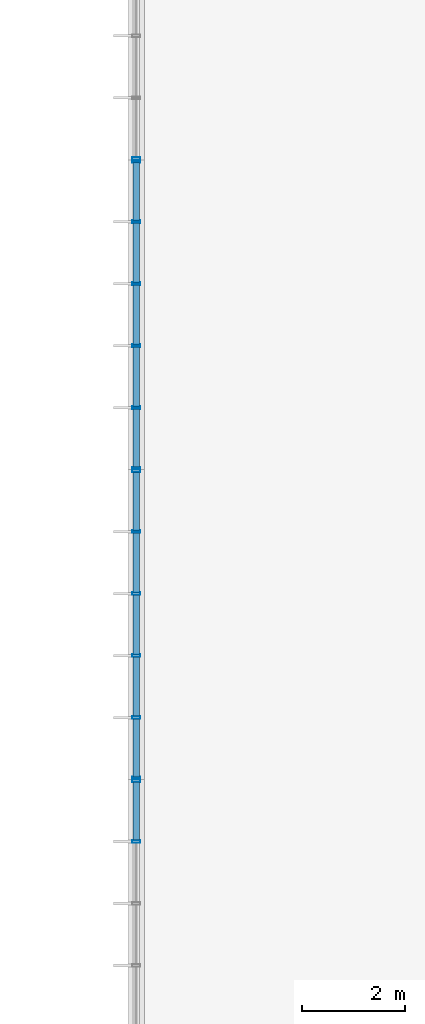
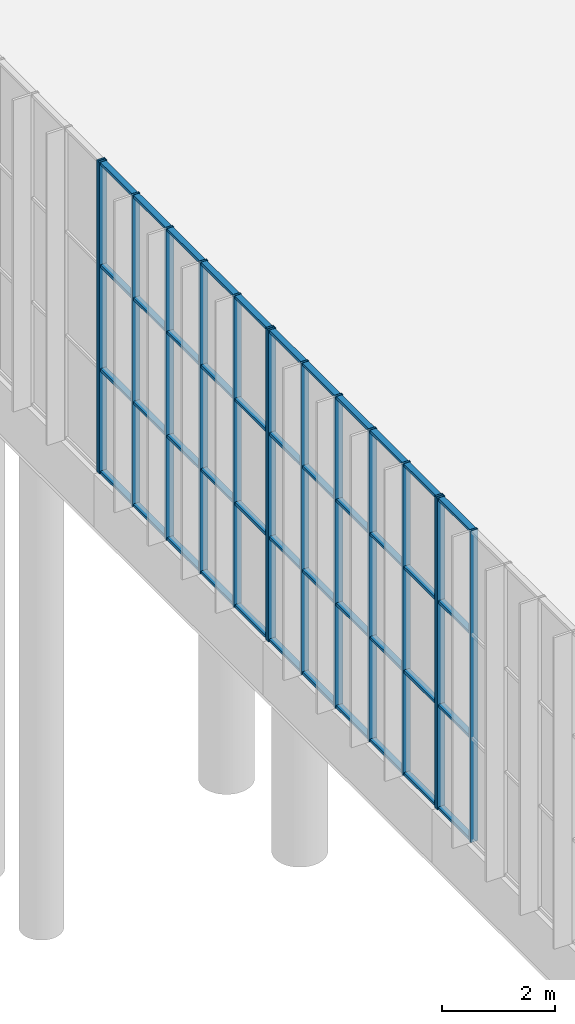
# One storey, part 51 of 136: 59 members, 4 elements without a shape of their own.
"""IFC4 building model written with IfcOpenShell, lengths in metres."""

from ifc_helpers import new_model, si_unit, direction, frame, origin, origin_2d, place, context, subcontext, project, spatial, hollow_rectangle, extrude, material, layer, layer_set, material_profile, profile_set, type_object, element, aggregate, save


model = new_model("IFC4")

# Units and contexts
model_context = context("Model", 3, precision=1e-05, world=origin(), true_north=direction((0.0, 1.0)))
body_context = subcontext(model_context, "Body", "Model", "MODEL_VIEW")
ifc_project = project(units=[si_unit("LENGTHUNIT", "METRE"), si_unit("AREAUNIT", "SQUARE_METRE"), si_unit("VOLUMEUNIT", "CUBIC_METRE"), si_unit("PLANEANGLEUNIT", "RADIAN"), si_unit("MASSUNIT", "GRAM", prefix="KILO")], contexts=[model_context])

# Site, building, storey
site_placement = place(None, origin())
site = spatial("IfcSite", under=ifc_project, at=site_placement, CompositionType="ELEMENT")
building_placement = place(site_placement, origin())
building = spatial("IfcBuilding", under=site, at=building_placement, Name="Solvenia Promenade Tram Depot", CompositionType="ELEMENT")
storey_placement = place(building_placement, origin())
storey = spatial("IfcBuildingStorey", under=building, at=storey_placement, Name="L00", CompositionType="ELEMENT", Elevation=0.0)

# Curtain wall, members
ifc_material = material(Name="Anodized aluminium AW-6063 T6", Category="aluminium")
ifc_layer = layer(ifc_material, 0.159912109375, Name="Anodized aluminium AW-6063 T6", Category="aluminium")
ifc_layer_set = layer_set([ifc_layer], Name="Anodized aluminium AW-6063 T6")
curtain_wall_type = type_object("IfcCurtainWallType", Name="CW-Channel-1200", PredefinedType="NOTDEFINED", material=ifc_layer_set)
curtain_wall_1_placement = place(storey_placement, origin())
curtain_wall_1 = element("IfcCurtainWall", 1, at=curtain_wall_1_placement, inside=storey, type_object=curtain_wall_type, Name="Curtain Wall CW-V1W-05", PredefinedType="NOTDEFINED")
ifc_material_profile_1 = material_profile(ifc_material, hollow_rectangle(XDim=0.159912109375, YDim=0.052001953125, WallThickness=0.00390625, at=origin_2d()), Name="ALU-M1", Category="aluminium")
ifc_profile_set_1 = profile_set([ifc_material_profile_1], Name="Anodized aluminium AW-6063 T6")
member_type_1 = type_object("IfcMemberType", Name="CWM-Mullion-1", PredefinedType="MULLION", material=ifc_profile_set_1)
member_1_placement = place(storey_placement, frame((0.0, 94.800048828125, 1.14990234375), z_axis=(0.0, 0.0, 1.0), x_axis=(-1.0, 0.0, 0.0)))
member_1 = element("IfcMember", 2, at=member_1_placement, type_object=member_type_1, Name="CW-1 mullion 5", PredefinedType="MULLION", context=body_context, shape_type="SweptSolid", body=[
    extrude(hollow_rectangle(XDim=0.159912109375, YDim=0.052001953125, WallThickness=0.00390625, at=origin_2d()), origin(), (0.0, 0.0, 1.0), 6.75),
])
member_2_placement = place(storey_placement, frame((0.0, 95.97412109375, 1.14990234375), z_axis=(0.0, 0.0, 1.0), x_axis=(-1.0, 0.0, 0.0)))
member_2 = element("IfcMember", 3, at=member_2_placement, type_object=member_type_1, Name="CW-1 mullion 6", PredefinedType="MULLION", context=body_context, shape_type="SweptSolid", body=[
    extrude(hollow_rectangle(XDim=0.159912109375, YDim=0.052001953125, WallThickness=0.00390625, at=origin_2d()), origin(), (0.0, 0.0, 1.0), 6.75),
])

curtain_wall_2_placement = place(storey_placement, origin())
curtain_wall_2 = element("IfcCurtainWall", 4, at=curtain_wall_2_placement, inside=storey, type_object=curtain_wall_type, Name="Curtain Wall CW-V1W-06", PredefinedType="NOTDEFINED")
member_3_placement = place(storey_placement, frame((0.0, 96.02587890625, 1.14990234375), z_axis=(0.0, 0.0, 1.0), x_axis=(-1.0, 0.0, 0.0)))
member_3 = element("IfcMember", 5, at=member_3_placement, type_object=member_type_1, Name="CW-1 mullion 1", PredefinedType="MULLION", context=body_context, shape_type="SweptSolid", body=[
    extrude(hollow_rectangle(XDim=0.159912109375, YDim=0.052001953125, WallThickness=0.00390625, at=origin_2d()), origin(), (0.0, 0.0, 1.0), 6.75),
])
member_4_placement = place(storey_placement, frame((0.0, 97.199951171875, 1.14990234375), z_axis=(0.0, 0.0, 1.0), x_axis=(-1.0, 0.0, 0.0)))
member_4 = element("IfcMember", 6, at=member_4_placement, type_object=member_type_1, Name="CW-1 mullion 2", PredefinedType="MULLION", context=body_context, shape_type="SweptSolid", body=[
    extrude(hollow_rectangle(XDim=0.159912109375, YDim=0.052001953125, WallThickness=0.00390625, at=origin_2d()), origin(), (0.0, 0.0, 1.0), 6.75),
])
member_5_placement = place(storey_placement, frame((0.0, 98.39990234375, 1.14990234375), z_axis=(0.0, 0.0, 1.0), x_axis=(-1.0, 0.0, 0.0)))
member_5 = element("IfcMember", 7, at=member_5_placement, type_object=member_type_1, Name="CW-1 mullion 3", PredefinedType="MULLION", context=body_context, shape_type="SweptSolid", body=[
    extrude(hollow_rectangle(XDim=0.159912109375, YDim=0.052001953125, WallThickness=0.00390625, at=origin_2d()), origin(), (0.0, 0.0, 1.0), 6.75),
])
member_6_placement = place(storey_placement, frame((0.0, 99.60009765625, 1.14990234375), z_axis=(0.0, 0.0, 1.0), x_axis=(-1.0, 0.0, 0.0)))
member_6 = element("IfcMember", 8, at=member_6_placement, type_object=member_type_1, Name="CW-1 mullion 4", PredefinedType="MULLION", context=body_context, shape_type="SweptSolid", body=[
    extrude(hollow_rectangle(XDim=0.159912109375, YDim=0.052001953125, WallThickness=0.00390625, at=origin_2d()), origin(), (0.0, 0.0, 1.0), 6.75),
])
member_7_placement = place(storey_placement, frame((0.0, 100.800048828125, 1.14990234375), z_axis=(0.0, 0.0, 1.0), x_axis=(-1.0, 0.0, 0.0)))
member_7 = element("IfcMember", 9, at=member_7_placement, type_object=member_type_1, Name="CW-1 mullion 5", PredefinedType="MULLION", context=body_context, shape_type="SweptSolid", body=[
    extrude(hollow_rectangle(XDim=0.159912109375, YDim=0.052001953125, WallThickness=0.00390625, at=origin_2d()), origin(), (0.0, 0.0, 1.0), 6.75),
])
member_8_placement = place(storey_placement, frame((0.0, 101.97412109375, 1.14990234375), z_axis=(0.0, 0.0, 1.0), x_axis=(-1.0, 0.0, 0.0)))
member_8 = element("IfcMember", 10, at=member_8_placement, type_object=member_type_1, Name="CW-1 mullion 6", PredefinedType="MULLION", context=body_context, shape_type="SweptSolid", body=[
    extrude(hollow_rectangle(XDim=0.159912109375, YDim=0.052001953125, WallThickness=0.00390625, at=origin_2d()), origin(), (0.0, 0.0, 1.0), 6.75),
])

curtain_wall_3_placement = place(storey_placement, origin())
curtain_wall_3 = element("IfcCurtainWall", 11, at=curtain_wall_3_placement, inside=storey, type_object=curtain_wall_type, Name="Curtain Wall CW-V1W-07", PredefinedType="NOTDEFINED")
member_9_placement = place(storey_placement, frame((0.0, 102.02587890625, 1.14990234375), z_axis=(0.0, 0.0, 1.0), x_axis=(-1.0, 0.0, 0.0)))
member_9 = element("IfcMember", 12, at=member_9_placement, type_object=member_type_1, Name="CW-1 mullion 1", PredefinedType="MULLION", context=body_context, shape_type="SweptSolid", body=[
    extrude(hollow_rectangle(XDim=0.159912109375, YDim=0.052001953125, WallThickness=0.00390625, at=origin_2d()), origin(), (0.0, 0.0, 1.0), 6.75),
])
member_10_placement = place(storey_placement, frame((0.0, 103.199951171875, 1.14990234375), z_axis=(0.0, 0.0, 1.0), x_axis=(-1.0, 0.0, 0.0)))
member_10 = element("IfcMember", 13, at=member_10_placement, type_object=member_type_1, Name="CW-1 mullion 2", PredefinedType="MULLION", context=body_context, shape_type="SweptSolid", body=[
    extrude(hollow_rectangle(XDim=0.159912109375, YDim=0.052001953125, WallThickness=0.00390625, at=origin_2d()), origin(), (0.0, 0.0, 1.0), 6.75),
])
member_11_placement = place(storey_placement, frame((0.0, 104.39990234375, 1.14990234375), z_axis=(0.0, 0.0, 1.0), x_axis=(-1.0, 0.0, 0.0)))
member_11 = element("IfcMember", 14, at=member_11_placement, type_object=member_type_1, Name="CW-1 mullion 3", PredefinedType="MULLION", context=body_context, shape_type="SweptSolid", body=[
    extrude(hollow_rectangle(XDim=0.159912109375, YDim=0.052001953125, WallThickness=0.00390625, at=origin_2d()), origin(), (0.0, 0.0, 1.0), 6.75),
])
member_12_placement = place(storey_placement, frame((0.0, 105.60009765625, 1.14990234375), z_axis=(0.0, 0.0, 1.0), x_axis=(-1.0, 0.0, 0.0)))
member_12 = element("IfcMember", 15, at=member_12_placement, type_object=member_type_1, Name="CW-1 mullion 4", PredefinedType="MULLION", context=body_context, shape_type="SweptSolid", body=[
    extrude(hollow_rectangle(XDim=0.159912109375, YDim=0.052001953125, WallThickness=0.00390625, at=origin_2d()), origin(), (0.0, 0.0, 1.0), 6.75),
])
member_13_placement = place(storey_placement, frame((0.0, 106.800048828125, 1.14990234375), z_axis=(0.0, 0.0, 1.0), x_axis=(-1.0, 0.0, 0.0)))
member_13 = element("IfcMember", 16, at=member_13_placement, type_object=member_type_1, Name="CW-1 mullion 5", PredefinedType="MULLION", context=body_context, shape_type="SweptSolid", body=[
    extrude(hollow_rectangle(XDim=0.159912109375, YDim=0.052001953125, WallThickness=0.00390625, at=origin_2d()), origin(), (0.0, 0.0, 1.0), 6.75),
])
member_14_placement = place(storey_placement, frame((0.0, 107.97412109375, 1.14990234375), z_axis=(0.0, 0.0, 1.0), x_axis=(-1.0, 0.0, 0.0)))
member_14 = element("IfcMember", 17, at=member_14_placement, type_object=member_type_1, Name="CW-1 mullion 6", PredefinedType="MULLION", context=body_context, shape_type="SweptSolid", body=[
    extrude(hollow_rectangle(XDim=0.159912109375, YDim=0.052001953125, WallThickness=0.00390625, at=origin_2d()), origin(), (0.0, 0.0, 1.0), 6.75),
])

# Curtain wall, member
curtain_wall_4_placement = place(storey_placement, origin())
curtain_wall_4 = element("IfcCurtainWall", 18, at=curtain_wall_4_placement, inside=storey, type_object=curtain_wall_type, Name="Curtain Wall CW-V1W-08", PredefinedType="NOTDEFINED")
member_15_placement = place(storey_placement, frame((0.0, 108.02587890625, 1.14990234375), z_axis=(0.0, 0.0, 1.0), x_axis=(-1.0, 0.0, 0.0)))
member_15 = element("IfcMember", 19, at=member_15_placement, type_object=member_type_1, Name="CW-1 mullion 1", PredefinedType="MULLION", context=body_context, shape_type="SweptSolid", body=[
    extrude(hollow_rectangle(XDim=0.159912109375, YDim=0.052001953125, WallThickness=0.00390625, at=origin_2d()), origin(), (0.0, 0.0, 1.0), 6.75),
])
aggregate(curtain_wall_4, [member_15])

# Member
ifc_material_profile_2 = material_profile(ifc_material, hollow_rectangle(XDim=0.1201171875, YDim=0.06005859375, WallThickness=0.00390625, at=origin_2d()), Name="ALU-T1", Category="aluminium")
ifc_profile_set_2 = profile_set([ifc_material_profile_2], Name="Anodized aluminium AW-6063 T6")
member_type_2 = type_object("IfcMemberType", Name="CWT-Transom-1", PredefinedType="USERDEFINED", material=ifc_profile_set_2)
member_16_placement = place(storey_placement, frame((0.0, 94.825927734375, 1.179931640625), z_axis=(0.0, 1.0, 0.0), x_axis=(-1.0, 0.0, 0.0)))
member_16 = element("IfcMember", 20, at=member_16_placement, type_object=member_type_2, Name="CW-1 transom 5.1", ObjectType="TRANSOM", PredefinedType="USERDEFINED", context=body_context, shape_type="SweptSolid", body=[
    extrude(hollow_rectangle(XDim=0.1201171875, YDim=0.06005859375, WallThickness=0.00390625, at=origin_2d()), origin(), (0.0, 0.0, 1.0), 1.1220703125),
])

member_17_placement = place(storey_placement, frame((0.0, 94.825927734375, 3.39990234375), z_axis=(0.0, 1.0, 0.0), x_axis=(-1.0, 0.0, 0.0)))
member_17 = element("IfcMember", 21, at=member_17_placement, type_object=member_type_2, Name="CW-1 transom 5.2", ObjectType="TRANSOM", PredefinedType="USERDEFINED", context=body_context, shape_type="SweptSolid", body=[
    extrude(hollow_rectangle(XDim=0.1201171875, YDim=0.06005859375, WallThickness=0.00390625, at=origin_2d()), origin(), (0.0, 0.0, 1.0), 1.1220703125),
])

member_18_placement = place(storey_placement, frame((0.0, 94.825927734375, 5.64990234375), z_axis=(0.0, 1.0, 0.0), x_axis=(-1.0, 0.0, 0.0)))
member_18 = element("IfcMember", 22, at=member_18_placement, type_object=member_type_2, Name="CW-1 transom 5.3", ObjectType="TRANSOM", PredefinedType="USERDEFINED", context=body_context, shape_type="SweptSolid", body=[
    extrude(hollow_rectangle(XDim=0.1201171875, YDim=0.06005859375, WallThickness=0.00390625, at=origin_2d()), origin(), (0.0, 0.0, 1.0), 1.1220703125),
])

member_19_placement = place(storey_placement, frame((0.0, 94.825927734375, 7.8701171875), z_axis=(0.0, 1.0, 0.0), x_axis=(-1.0, 0.0, 0.0)))
member_19 = element("IfcMember", 23, at=member_19_placement, type_object=member_type_2, Name="CW-1 transom 5.4", ObjectType="TRANSOM", PredefinedType="USERDEFINED", context=body_context, shape_type="SweptSolid", body=[
    extrude(hollow_rectangle(XDim=0.1201171875, YDim=0.06005859375, WallThickness=0.00390625, at=origin_2d()), origin(), (0.0, 0.0, 1.0), 1.1220703125),
])

aggregate(curtain_wall_1, [member_1, member_2, member_16, member_17, member_18, member_19])

member_20_placement = place(storey_placement, frame((0.0, 96.052001953125, 1.179931640625), z_axis=(0.0, 1.0, 0.0), x_axis=(-1.0, 0.0, 0.0)))
member_20 = element("IfcMember", 24, at=member_20_placement, type_object=member_type_2, Name="CW-1 transom 1.1", ObjectType="TRANSOM", PredefinedType="USERDEFINED", context=body_context, shape_type="SweptSolid", body=[
    extrude(hollow_rectangle(XDim=0.1201171875, YDim=0.06005859375, WallThickness=0.00390625, at=origin_2d()), origin(), (0.0, 0.0, 1.0), 1.1220703125),
])

member_21_placement = place(storey_placement, frame((0.0, 96.052001953125, 3.39990234375), z_axis=(0.0, 1.0, 0.0), x_axis=(-1.0, 0.0, 0.0)))
member_21 = element("IfcMember", 25, at=member_21_placement, type_object=member_type_2, Name="CW-1 transom 1.2", ObjectType="TRANSOM", PredefinedType="USERDEFINED", context=body_context, shape_type="SweptSolid", body=[
    extrude(hollow_rectangle(XDim=0.1201171875, YDim=0.06005859375, WallThickness=0.00390625, at=origin_2d()), origin(), (0.0, 0.0, 1.0), 1.1220703125),
])

member_22_placement = place(storey_placement, frame((0.0, 96.052001953125, 5.64990234375), z_axis=(0.0, 1.0, 0.0), x_axis=(-1.0, 0.0, 0.0)))
member_22 = element("IfcMember", 26, at=member_22_placement, type_object=member_type_2, Name="CW-1 transom 1.3", ObjectType="TRANSOM", PredefinedType="USERDEFINED", context=body_context, shape_type="SweptSolid", body=[
    extrude(hollow_rectangle(XDim=0.1201171875, YDim=0.06005859375, WallThickness=0.00390625, at=origin_2d()), origin(), (0.0, 0.0, 1.0), 1.1220703125),
])

member_23_placement = place(storey_placement, frame((0.0, 96.052001953125, 7.8701171875), z_axis=(0.0, 1.0, 0.0), x_axis=(-1.0, 0.0, 0.0)))
member_23 = element("IfcMember", 27, at=member_23_placement, type_object=member_type_2, Name="CW-1 transom 1.4", ObjectType="TRANSOM", PredefinedType="USERDEFINED", context=body_context, shape_type="SweptSolid", body=[
    extrude(hollow_rectangle(XDim=0.1201171875, YDim=0.06005859375, WallThickness=0.00390625, at=origin_2d()), origin(), (0.0, 0.0, 1.0), 1.1220703125),
])

member_24_placement = place(storey_placement, frame((0.0, 97.22607421875, 1.179931640625), z_axis=(0.0, 1.0, 0.0), x_axis=(-1.0, 0.0, 0.0)))
member_24 = element("IfcMember", 28, at=member_24_placement, type_object=member_type_2, Name="CW-1 transom 2.1", ObjectType="TRANSOM", PredefinedType="USERDEFINED", context=body_context, shape_type="SweptSolid", body=[
    extrude(hollow_rectangle(XDim=0.1201171875, YDim=0.06005859375, WallThickness=0.00390625, at=origin_2d()), origin(), (0.0, 0.0, 1.0), 1.14794921875),
])

member_25_placement = place(storey_placement, frame((0.0, 97.22607421875, 3.39990234375), z_axis=(0.0, 1.0, 0.0), x_axis=(-1.0, 0.0, 0.0)))
member_25 = element("IfcMember", 29, at=member_25_placement, type_object=member_type_2, Name="CW-1 transom 2.2", ObjectType="TRANSOM", PredefinedType="USERDEFINED", context=body_context, shape_type="SweptSolid", body=[
    extrude(hollow_rectangle(XDim=0.1201171875, YDim=0.06005859375, WallThickness=0.00390625, at=origin_2d()), origin(), (0.0, 0.0, 1.0), 1.14794921875),
])

member_26_placement = place(storey_placement, frame((0.0, 97.22607421875, 5.64990234375), z_axis=(0.0, 1.0, 0.0), x_axis=(-1.0, 0.0, 0.0)))
member_26 = element("IfcMember", 30, at=member_26_placement, type_object=member_type_2, Name="CW-1 transom 2.3", ObjectType="TRANSOM", PredefinedType="USERDEFINED", context=body_context, shape_type="SweptSolid", body=[
    extrude(hollow_rectangle(XDim=0.1201171875, YDim=0.06005859375, WallThickness=0.00390625, at=origin_2d()), origin(), (0.0, 0.0, 1.0), 1.14794921875),
])

member_27_placement = place(storey_placement, frame((0.0, 97.22607421875, 7.8701171875), z_axis=(0.0, 1.0, 0.0), x_axis=(-1.0, 0.0, 0.0)))
member_27 = element("IfcMember", 31, at=member_27_placement, type_object=member_type_2, Name="CW-1 transom 2.4", ObjectType="TRANSOM", PredefinedType="USERDEFINED", context=body_context, shape_type="SweptSolid", body=[
    extrude(hollow_rectangle(XDim=0.1201171875, YDim=0.06005859375, WallThickness=0.00390625, at=origin_2d()), origin(), (0.0, 0.0, 1.0), 1.14794921875),
])

member_28_placement = place(storey_placement, frame((0.0, 98.426025390625, 1.179931640625), z_axis=(0.0, 1.0, 0.0), x_axis=(-1.0, 0.0, 0.0)))
member_28 = element("IfcMember", 32, at=member_28_placement, type_object=member_type_2, Name="CW-1 transom 3.1", ObjectType="TRANSOM", PredefinedType="USERDEFINED", context=body_context, shape_type="SweptSolid", body=[
    extrude(hollow_rectangle(XDim=0.1201171875, YDim=0.06005859375, WallThickness=0.00390625, at=origin_2d()), origin(), (0.0, 0.0, 1.0), 1.14794921875),
])

member_29_placement = place(storey_placement, frame((0.0, 98.426025390625, 3.39990234375), z_axis=(0.0, 1.0, 0.0), x_axis=(-1.0, 0.0, 0.0)))
member_29 = element("IfcMember", 33, at=member_29_placement, type_object=member_type_2, Name="CW-1 transom 3.2", ObjectType="TRANSOM", PredefinedType="USERDEFINED", context=body_context, shape_type="SweptSolid", body=[
    extrude(hollow_rectangle(XDim=0.1201171875, YDim=0.06005859375, WallThickness=0.00390625, at=origin_2d()), origin(), (0.0, 0.0, 1.0), 1.14794921875),
])

member_30_placement = place(storey_placement, frame((0.0, 98.426025390625, 5.64990234375), z_axis=(0.0, 1.0, 0.0), x_axis=(-1.0, 0.0, 0.0)))
member_30 = element("IfcMember", 34, at=member_30_placement, type_object=member_type_2, Name="CW-1 transom 3.3", ObjectType="TRANSOM", PredefinedType="USERDEFINED", context=body_context, shape_type="SweptSolid", body=[
    extrude(hollow_rectangle(XDim=0.1201171875, YDim=0.06005859375, WallThickness=0.00390625, at=origin_2d()), origin(), (0.0, 0.0, 1.0), 1.14794921875),
])

member_31_placement = place(storey_placement, frame((0.0, 98.426025390625, 7.8701171875), z_axis=(0.0, 1.0, 0.0), x_axis=(-1.0, 0.0, 0.0)))
member_31 = element("IfcMember", 35, at=member_31_placement, type_object=member_type_2, Name="CW-1 transom 3.4", ObjectType="TRANSOM", PredefinedType="USERDEFINED", context=body_context, shape_type="SweptSolid", body=[
    extrude(hollow_rectangle(XDim=0.1201171875, YDim=0.06005859375, WallThickness=0.00390625, at=origin_2d()), origin(), (0.0, 0.0, 1.0), 1.14794921875),
])

member_32_placement = place(storey_placement, frame((0.0, 99.6259765625, 1.179931640625), z_axis=(0.0, 1.0, 0.0), x_axis=(-1.0, 0.0, 0.0)))
member_32 = element("IfcMember", 36, at=member_32_placement, type_object=member_type_2, Name="CW-1 transom 4.1", ObjectType="TRANSOM", PredefinedType="USERDEFINED", context=body_context, shape_type="SweptSolid", body=[
    extrude(hollow_rectangle(XDim=0.1201171875, YDim=0.06005859375, WallThickness=0.00390625, at=origin_2d()), origin(), (0.0, 0.0, 1.0), 1.14794921875),
])

member_33_placement = place(storey_placement, frame((0.0, 99.6259765625, 3.39990234375), z_axis=(0.0, 1.0, 0.0), x_axis=(-1.0, 0.0, 0.0)))
member_33 = element("IfcMember", 37, at=member_33_placement, type_object=member_type_2, Name="CW-1 transom 4.2", ObjectType="TRANSOM", PredefinedType="USERDEFINED", context=body_context, shape_type="SweptSolid", body=[
    extrude(hollow_rectangle(XDim=0.1201171875, YDim=0.06005859375, WallThickness=0.00390625, at=origin_2d()), origin(), (0.0, 0.0, 1.0), 1.14794921875),
])

member_34_placement = place(storey_placement, frame((0.0, 99.6259765625, 5.64990234375), z_axis=(0.0, 1.0, 0.0), x_axis=(-1.0, 0.0, 0.0)))
member_34 = element("IfcMember", 38, at=member_34_placement, type_object=member_type_2, Name="CW-1 transom 4.3", ObjectType="TRANSOM", PredefinedType="USERDEFINED", context=body_context, shape_type="SweptSolid", body=[
    extrude(hollow_rectangle(XDim=0.1201171875, YDim=0.06005859375, WallThickness=0.00390625, at=origin_2d()), origin(), (0.0, 0.0, 1.0), 1.14794921875),
])

member_35_placement = place(storey_placement, frame((0.0, 99.6259765625, 7.8701171875), z_axis=(0.0, 1.0, 0.0), x_axis=(-1.0, 0.0, 0.0)))
member_35 = element("IfcMember", 39, at=member_35_placement, type_object=member_type_2, Name="CW-1 transom 4.4", ObjectType="TRANSOM", PredefinedType="USERDEFINED", context=body_context, shape_type="SweptSolid", body=[
    extrude(hollow_rectangle(XDim=0.1201171875, YDim=0.06005859375, WallThickness=0.00390625, at=origin_2d()), origin(), (0.0, 0.0, 1.0), 1.14794921875),
])

member_36_placement = place(storey_placement, frame((0.0, 100.825927734375, 1.179931640625), z_axis=(0.0, 1.0, 0.0), x_axis=(-1.0, 0.0, 0.0)))
member_36 = element("IfcMember", 40, at=member_36_placement, type_object=member_type_2, Name="CW-1 transom 5.1", ObjectType="TRANSOM", PredefinedType="USERDEFINED", context=body_context, shape_type="SweptSolid", body=[
    extrude(hollow_rectangle(XDim=0.1201171875, YDim=0.06005859375, WallThickness=0.00390625, at=origin_2d()), origin(), (0.0, 0.0, 1.0), 1.1220703125),
])

member_37_placement = place(storey_placement, frame((0.0, 100.825927734375, 3.39990234375), z_axis=(0.0, 1.0, 0.0), x_axis=(-1.0, 0.0, 0.0)))
member_37 = element("IfcMember", 41, at=member_37_placement, type_object=member_type_2, Name="CW-1 transom 5.2", ObjectType="TRANSOM", PredefinedType="USERDEFINED", context=body_context, shape_type="SweptSolid", body=[
    extrude(hollow_rectangle(XDim=0.1201171875, YDim=0.06005859375, WallThickness=0.00390625, at=origin_2d()), origin(), (0.0, 0.0, 1.0), 1.1220703125),
])

member_38_placement = place(storey_placement, frame((0.0, 100.825927734375, 5.64990234375), z_axis=(0.0, 1.0, 0.0), x_axis=(-1.0, 0.0, 0.0)))
member_38 = element("IfcMember", 42, at=member_38_placement, type_object=member_type_2, Name="CW-1 transom 5.3", ObjectType="TRANSOM", PredefinedType="USERDEFINED", context=body_context, shape_type="SweptSolid", body=[
    extrude(hollow_rectangle(XDim=0.1201171875, YDim=0.06005859375, WallThickness=0.00390625, at=origin_2d()), origin(), (0.0, 0.0, 1.0), 1.1220703125),
])

member_39_placement = place(storey_placement, frame((0.0, 100.825927734375, 7.8701171875), z_axis=(0.0, 1.0, 0.0), x_axis=(-1.0, 0.0, 0.0)))
member_39 = element("IfcMember", 43, at=member_39_placement, type_object=member_type_2, Name="CW-1 transom 5.4", ObjectType="TRANSOM", PredefinedType="USERDEFINED", context=body_context, shape_type="SweptSolid", body=[
    extrude(hollow_rectangle(XDim=0.1201171875, YDim=0.06005859375, WallThickness=0.00390625, at=origin_2d()), origin(), (0.0, 0.0, 1.0), 1.1220703125),
])

aggregate(curtain_wall_2, [member_3, member_4, member_5, member_6, member_7, member_8, member_20, member_21, member_22, member_23, member_24, member_25, member_26, member_27, member_28, member_29, member_30, member_31, member_32, member_33, member_34, member_35, member_36, member_37, member_38, member_39])

member_40_placement = place(storey_placement, frame((0.0, 102.052001953125, 1.179931640625), z_axis=(0.0, 1.0, 0.0), x_axis=(-1.0, 0.0, 0.0)))
member_40 = element("IfcMember", 44, at=member_40_placement, type_object=member_type_2, Name="CW-1 transom 1.1", ObjectType="TRANSOM", PredefinedType="USERDEFINED", context=body_context, shape_type="SweptSolid", body=[
    extrude(hollow_rectangle(XDim=0.1201171875, YDim=0.06005859375, WallThickness=0.00390625, at=origin_2d()), origin(), (0.0, 0.0, 1.0), 1.1220703125),
])

member_41_placement = place(storey_placement, frame((0.0, 102.052001953125, 3.39990234375), z_axis=(0.0, 1.0, 0.0), x_axis=(-1.0, 0.0, 0.0)))
member_41 = element("IfcMember", 45, at=member_41_placement, type_object=member_type_2, Name="CW-1 transom 1.2", ObjectType="TRANSOM", PredefinedType="USERDEFINED", context=body_context, shape_type="SweptSolid", body=[
    extrude(hollow_rectangle(XDim=0.1201171875, YDim=0.06005859375, WallThickness=0.00390625, at=origin_2d()), origin(), (0.0, 0.0, 1.0), 1.1220703125),
])

member_42_placement = place(storey_placement, frame((0.0, 102.052001953125, 5.64990234375), z_axis=(0.0, 1.0, 0.0), x_axis=(-1.0, 0.0, 0.0)))
member_42 = element("IfcMember", 46, at=member_42_placement, type_object=member_type_2, Name="CW-1 transom 1.3", ObjectType="TRANSOM", PredefinedType="USERDEFINED", context=body_context, shape_type="SweptSolid", body=[
    extrude(hollow_rectangle(XDim=0.1201171875, YDim=0.06005859375, WallThickness=0.00390625, at=origin_2d()), origin(), (0.0, 0.0, 1.0), 1.1220703125),
])

member_43_placement = place(storey_placement, frame((0.0, 102.052001953125, 7.8701171875), z_axis=(0.0, 1.0, 0.0), x_axis=(-1.0, 0.0, 0.0)))
member_43 = element("IfcMember", 47, at=member_43_placement, type_object=member_type_2, Name="CW-1 transom 1.4", ObjectType="TRANSOM", PredefinedType="USERDEFINED", context=body_context, shape_type="SweptSolid", body=[
    extrude(hollow_rectangle(XDim=0.1201171875, YDim=0.06005859375, WallThickness=0.00390625, at=origin_2d()), origin(), (0.0, 0.0, 1.0), 1.1220703125),
])

member_44_placement = place(storey_placement, frame((0.0, 103.22607421875, 1.179931640625), z_axis=(0.0, 1.0, 0.0), x_axis=(-1.0, 0.0, 0.0)))
member_44 = element("IfcMember", 48, at=member_44_placement, type_object=member_type_2, Name="CW-1 transom 2.1", ObjectType="TRANSOM", PredefinedType="USERDEFINED", context=body_context, shape_type="SweptSolid", body=[
    extrude(hollow_rectangle(XDim=0.1201171875, YDim=0.06005859375, WallThickness=0.00390625, at=origin_2d()), origin(), (0.0, 0.0, 1.0), 1.14794921875),
])

member_45_placement = place(storey_placement, frame((0.0, 103.22607421875, 3.39990234375), z_axis=(0.0, 1.0, 0.0), x_axis=(-1.0, 0.0, 0.0)))
member_45 = element("IfcMember", 49, at=member_45_placement, type_object=member_type_2, Name="CW-1 transom 2.2", ObjectType="TRANSOM", PredefinedType="USERDEFINED", context=body_context, shape_type="SweptSolid", body=[
    extrude(hollow_rectangle(XDim=0.1201171875, YDim=0.06005859375, WallThickness=0.00390625, at=origin_2d()), origin(), (0.0, 0.0, 1.0), 1.14794921875),
])

member_46_placement = place(storey_placement, frame((0.0, 103.22607421875, 5.64990234375), z_axis=(0.0, 1.0, 0.0), x_axis=(-1.0, 0.0, 0.0)))
member_46 = element("IfcMember", 50, at=member_46_placement, type_object=member_type_2, Name="CW-1 transom 2.3", ObjectType="TRANSOM", PredefinedType="USERDEFINED", context=body_context, shape_type="SweptSolid", body=[
    extrude(hollow_rectangle(XDim=0.1201171875, YDim=0.06005859375, WallThickness=0.00390625, at=origin_2d()), origin(), (0.0, 0.0, 1.0), 1.14794921875),
])

member_47_placement = place(storey_placement, frame((0.0, 103.22607421875, 7.8701171875), z_axis=(0.0, 1.0, 0.0), x_axis=(-1.0, 0.0, 0.0)))
member_47 = element("IfcMember", 51, at=member_47_placement, type_object=member_type_2, Name="CW-1 transom 2.4", ObjectType="TRANSOM", PredefinedType="USERDEFINED", context=body_context, shape_type="SweptSolid", body=[
    extrude(hollow_rectangle(XDim=0.1201171875, YDim=0.06005859375, WallThickness=0.00390625, at=origin_2d()), origin(), (0.0, 0.0, 1.0), 1.14794921875),
])

member_48_placement = place(storey_placement, frame((0.0, 104.426025390625, 1.179931640625), z_axis=(0.0, 1.0, 0.0), x_axis=(-1.0, 0.0, 0.0)))
member_48 = element("IfcMember", 52, at=member_48_placement, type_object=member_type_2, Name="CW-1 transom 3.1", ObjectType="TRANSOM", PredefinedType="USERDEFINED", context=body_context, shape_type="SweptSolid", body=[
    extrude(hollow_rectangle(XDim=0.1201171875, YDim=0.06005859375, WallThickness=0.00390625, at=origin_2d()), origin(), (0.0, 0.0, 1.0), 1.14794921875),
])

member_49_placement = place(storey_placement, frame((0.0, 104.426025390625, 3.39990234375), z_axis=(0.0, 1.0, 0.0), x_axis=(-1.0, 0.0, 0.0)))
member_49 = element("IfcMember", 53, at=member_49_placement, type_object=member_type_2, Name="CW-1 transom 3.2", ObjectType="TRANSOM", PredefinedType="USERDEFINED", context=body_context, shape_type="SweptSolid", body=[
    extrude(hollow_rectangle(XDim=0.1201171875, YDim=0.06005859375, WallThickness=0.00390625, at=origin_2d()), origin(), (0.0, 0.0, 1.0), 1.14794921875),
])

member_50_placement = place(storey_placement, frame((0.0, 104.426025390625, 5.64990234375), z_axis=(0.0, 1.0, 0.0), x_axis=(-1.0, 0.0, 0.0)))
member_50 = element("IfcMember", 54, at=member_50_placement, type_object=member_type_2, Name="CW-1 transom 3.3", ObjectType="TRANSOM", PredefinedType="USERDEFINED", context=body_context, shape_type="SweptSolid", body=[
    extrude(hollow_rectangle(XDim=0.1201171875, YDim=0.06005859375, WallThickness=0.00390625, at=origin_2d()), origin(), (0.0, 0.0, 1.0), 1.14794921875),
])

member_51_placement = place(storey_placement, frame((0.0, 104.426025390625, 7.8701171875), z_axis=(0.0, 1.0, 0.0), x_axis=(-1.0, 0.0, 0.0)))
member_51 = element("IfcMember", 55, at=member_51_placement, type_object=member_type_2, Name="CW-1 transom 3.4", ObjectType="TRANSOM", PredefinedType="USERDEFINED", context=body_context, shape_type="SweptSolid", body=[
    extrude(hollow_rectangle(XDim=0.1201171875, YDim=0.06005859375, WallThickness=0.00390625, at=origin_2d()), origin(), (0.0, 0.0, 1.0), 1.14794921875),
])

member_52_placement = place(storey_placement, frame((0.0, 105.6259765625, 1.179931640625), z_axis=(0.0, 1.0, 0.0), x_axis=(-1.0, 0.0, 0.0)))
member_52 = element("IfcMember", 56, at=member_52_placement, type_object=member_type_2, Name="CW-1 transom 4.1", ObjectType="TRANSOM", PredefinedType="USERDEFINED", context=body_context, shape_type="SweptSolid", body=[
    extrude(hollow_rectangle(XDim=0.1201171875, YDim=0.06005859375, WallThickness=0.00390625, at=origin_2d()), origin(), (0.0, 0.0, 1.0), 1.14794921875),
])

member_53_placement = place(storey_placement, frame((0.0, 105.6259765625, 3.39990234375), z_axis=(0.0, 1.0, 0.0), x_axis=(-1.0, 0.0, 0.0)))
member_53 = element("IfcMember", 57, at=member_53_placement, type_object=member_type_2, Name="CW-1 transom 4.2", ObjectType="TRANSOM", PredefinedType="USERDEFINED", context=body_context, shape_type="SweptSolid", body=[
    extrude(hollow_rectangle(XDim=0.1201171875, YDim=0.06005859375, WallThickness=0.00390625, at=origin_2d()), origin(), (0.0, 0.0, 1.0), 1.14794921875),
])

member_54_placement = place(storey_placement, frame((0.0, 105.6259765625, 5.64990234375), z_axis=(0.0, 1.0, 0.0), x_axis=(-1.0, 0.0, 0.0)))
member_54 = element("IfcMember", 58, at=member_54_placement, type_object=member_type_2, Name="CW-1 transom 4.3", ObjectType="TRANSOM", PredefinedType="USERDEFINED", context=body_context, shape_type="SweptSolid", body=[
    extrude(hollow_rectangle(XDim=0.1201171875, YDim=0.06005859375, WallThickness=0.00390625, at=origin_2d()), origin(), (0.0, 0.0, 1.0), 1.14794921875),
])

member_55_placement = place(storey_placement, frame((0.0, 105.6259765625, 7.8701171875), z_axis=(0.0, 1.0, 0.0), x_axis=(-1.0, 0.0, 0.0)))
member_55 = element("IfcMember", 59, at=member_55_placement, type_object=member_type_2, Name="CW-1 transom 4.4", ObjectType="TRANSOM", PredefinedType="USERDEFINED", context=body_context, shape_type="SweptSolid", body=[
    extrude(hollow_rectangle(XDim=0.1201171875, YDim=0.06005859375, WallThickness=0.00390625, at=origin_2d()), origin(), (0.0, 0.0, 1.0), 1.14794921875),
])

member_56_placement = place(storey_placement, frame((0.0, 106.825927734375, 1.179931640625), z_axis=(0.0, 1.0, 0.0), x_axis=(-1.0, 0.0, 0.0)))
member_56 = element("IfcMember", 60, at=member_56_placement, type_object=member_type_2, Name="CW-1 transom 5.1", ObjectType="TRANSOM", PredefinedType="USERDEFINED", context=body_context, shape_type="SweptSolid", body=[
    extrude(hollow_rectangle(XDim=0.1201171875, YDim=0.06005859375, WallThickness=0.00390625, at=origin_2d()), origin(), (0.0, 0.0, 1.0), 1.1220703125),
])

member_57_placement = place(storey_placement, frame((0.0, 106.825927734375, 3.39990234375), z_axis=(0.0, 1.0, 0.0), x_axis=(-1.0, 0.0, 0.0)))
member_57 = element("IfcMember", 61, at=member_57_placement, type_object=member_type_2, Name="CW-1 transom 5.2", ObjectType="TRANSOM", PredefinedType="USERDEFINED", context=body_context, shape_type="SweptSolid", body=[
    extrude(hollow_rectangle(XDim=0.1201171875, YDim=0.06005859375, WallThickness=0.00390625, at=origin_2d()), origin(), (0.0, 0.0, 1.0), 1.1220703125),
])

member_58_placement = place(storey_placement, frame((0.0, 106.825927734375, 5.64990234375), z_axis=(0.0, 1.0, 0.0), x_axis=(-1.0, 0.0, 0.0)))
member_58 = element("IfcMember", 62, at=member_58_placement, type_object=member_type_2, Name="CW-1 transom 5.3", ObjectType="TRANSOM", PredefinedType="USERDEFINED", context=body_context, shape_type="SweptSolid", body=[
    extrude(hollow_rectangle(XDim=0.1201171875, YDim=0.06005859375, WallThickness=0.00390625, at=origin_2d()), origin(), (0.0, 0.0, 1.0), 1.1220703125),
])

member_59_placement = place(storey_placement, frame((0.0, 106.825927734375, 7.8701171875), z_axis=(0.0, 1.0, 0.0), x_axis=(-1.0, 0.0, 0.0)))
member_59 = element("IfcMember", 63, at=member_59_placement, type_object=member_type_2, Name="CW-1 transom 5.4", ObjectType="TRANSOM", PredefinedType="USERDEFINED", context=body_context, shape_type="SweptSolid", body=[
    extrude(hollow_rectangle(XDim=0.1201171875, YDim=0.06005859375, WallThickness=0.00390625, at=origin_2d()), origin(), (0.0, 0.0, 1.0), 1.1220703125),
])

aggregate(curtain_wall_3, [member_9, member_10, member_11, member_12, member_13, member_14, member_40, member_41, member_42, member_43, member_44, member_45, member_46, member_47, member_48, member_49, member_50, member_51, member_52, member_53, member_54, member_55, member_56, member_57, member_58, member_59])

save(model, "model.ifc")
